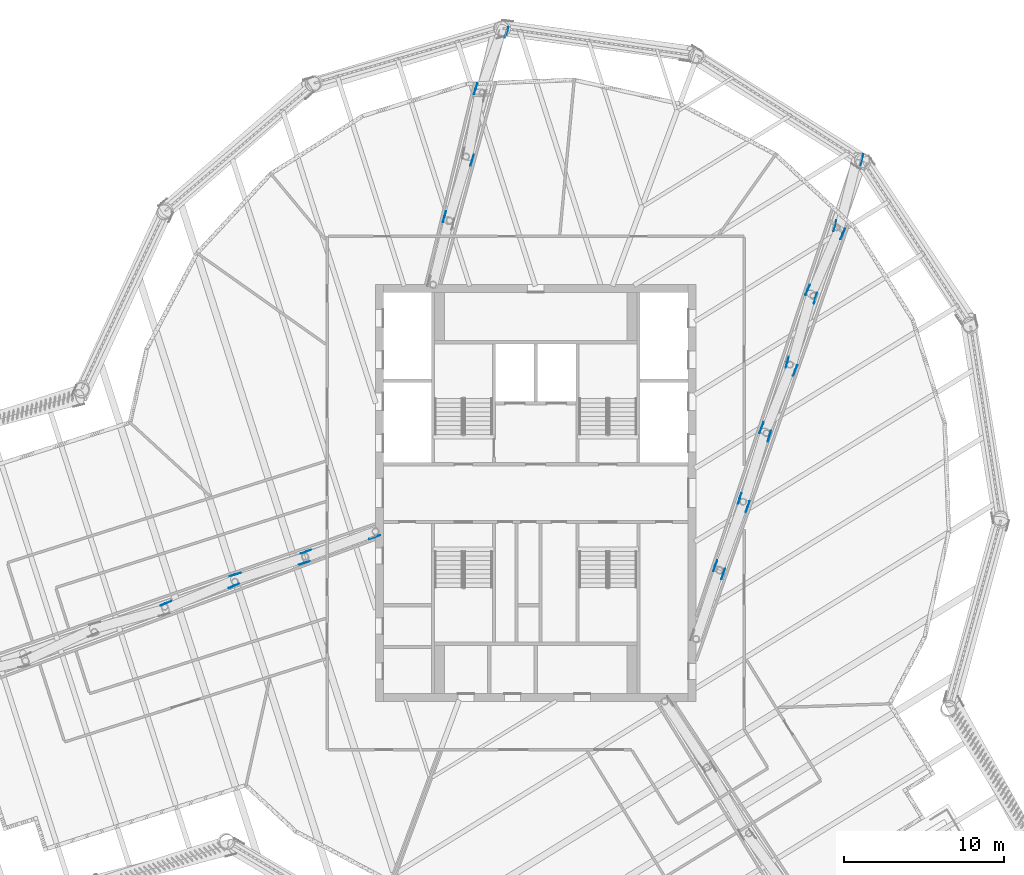
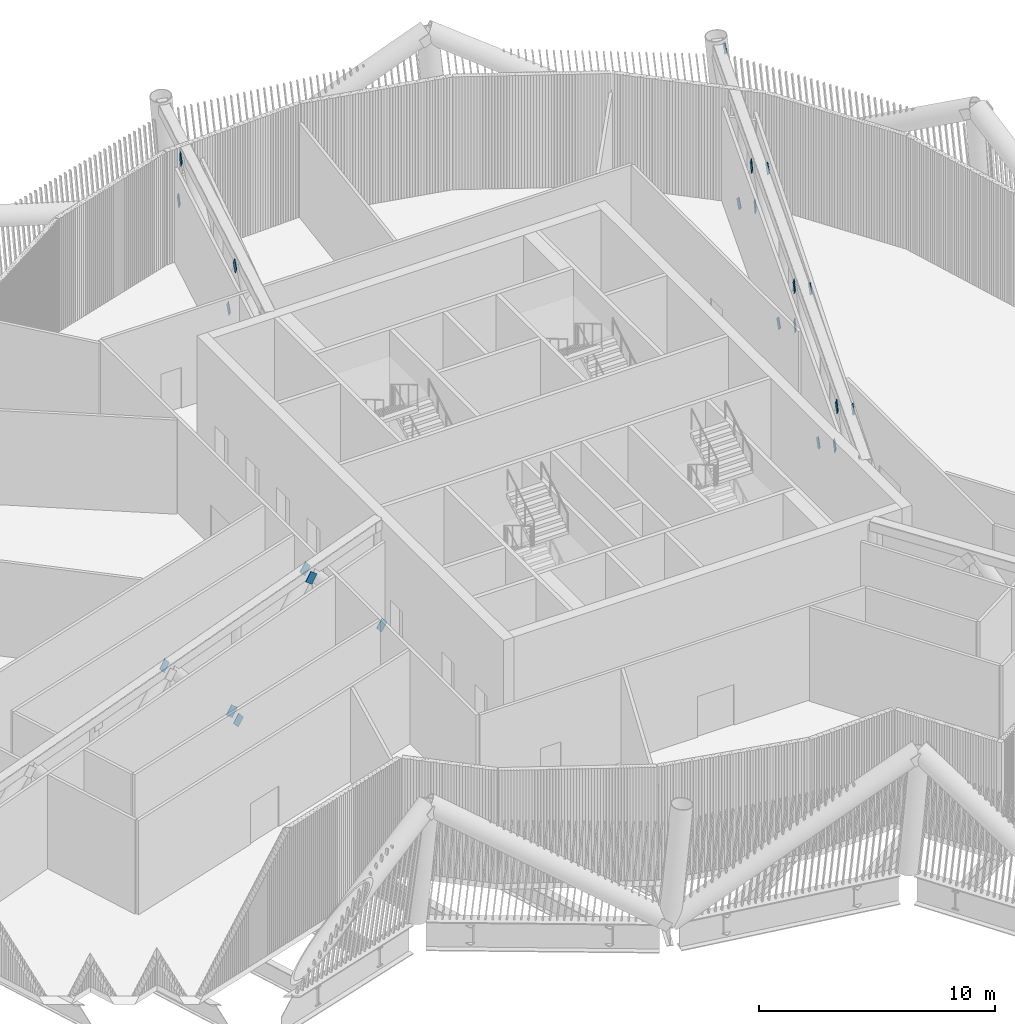
# One storey, part 18 of 40: 23 discrete accessories.
"""IFC4 building model written with IfcOpenShell, lengths in metres."""

from ifc_helpers import new_model, si_unit, direction, frame, origin, origin_2d, place, context, subcontext, project, spatial, rectangle, extrude, material, material_profile, profile_set, type_object, element, save


model = new_model("IFC4")

# Units and contexts
model_context = context("Model", 3, precision=1e-05, world=origin(), true_north=direction((0.0, 1.0)))
body_context = subcontext(model_context, "Body", "Model", "MODEL_VIEW")
ifc_project = project(units=[si_unit("LENGTHUNIT", "METRE"), si_unit("AREAUNIT", "SQUARE_METRE"), si_unit("VOLUMEUNIT", "CUBIC_METRE"), si_unit("PLANEANGLEUNIT", "RADIAN"), si_unit("MASSUNIT", "GRAM", prefix="KILO")], contexts=[model_context])

# Site, building, storey
site_placement = place(None, origin())
site = spatial("IfcSite", under=ifc_project, at=site_placement, CompositionType="ELEMENT")
building_placement = place(site_placement, origin())
building = spatial("IfcBuilding", under=site, at=building_placement, Name="Tarsis Ring Headquarters", CompositionType="ELEMENT")
storey_placement = place(building_placement, frame((0.0, 0.0, 354.800048828125)))
storey = spatial("IfcBuildingStorey", under=building, at=storey_placement, Name="L84", CompositionType="ELEMENT", Elevation=354.800048828125)

# Discrete accessories
ifc_material = material(Name="Structural steel S355", Category="steel")
ifc_material_profile = material_profile(ifc_material, rectangle(XDim=0.02490234375, YDim=0.5, at=origin_2d()), Name="PL 25x500")
ifc_profile_set = profile_set([ifc_material_profile], Name="Structural steel S355")
discrete_accessory_type = type_object("IfcDiscreteAccessoryType", Name="Gusset plate Outrigger 25", PredefinedType="BRACKET", material=ifc_profile_set)
for number, where, z_axis, x_axis, name in (
    (1, (11.739013671875, -4.900146484375, 5.5859375), (-0.20552676794, -0.61462755543, -0.761571871701), (0.948381554752, -0.317131560406, 0.0), "Gusset plate GP1"),
    (2, (11.139892578125, -4.69091796875, 5.5859375), (0.220669771656, 0.604400834758, -0.765509296365), (-0.939349559879, 0.342961228647, 0.0), "Gusset plate GP1"),
    (3, (13.2705078125, -0.701171875, 0.25390625), (-0.22073488786, -0.604090832484, 0.765735186204), (0.939260216755, -0.343205835063, 0.0), "Gusset plate GP1"),
):
    element("IfcDiscreteAccessory", number, at=place(storey_placement, frame(where, z_axis=z_axis, x_axis=x_axis)), inside=storey, type_object=discrete_accessory_type, Name=name, PredefinedType="BRACKET", context=body_context, shape_type="SweptSolid", body=[
        extrude(rectangle(XDim=0.02490234375, YDim=0.5, at=origin_2d()), origin(), (0.0, 0.0, 1.0), 0.5),
    ])
discrete_accessory_1_placement = place(storey_placement, frame((12.6689453125, -0.499755859375, 0.25390625), z_axis=(0.190376566723, 0.624337509843, 0.75760110655), x_axis=(-0.956519774385, 0.29166748398, 0.0)))
element("IfcDiscreteAccessory", 4, at=discrete_accessory_1_placement, inside=storey, type_object=discrete_accessory_type, Name="Gusset plate GP1", PredefinedType="BRACKET", context=body_context, shape_type="SweptSolid", body=[
    extrude(rectangle(XDim=0.02490234375, YDim=0.5, at=origin_2d()), origin(), (0.0, 0.0, 1.0), 0.500244140625),
])
discrete_accessory_2_placement = place(storey_placement, frame((14.61767578125, 3.70849609375, 5.5859375), z_axis=(-0.190505076824, -0.624270482514, -0.757624036291), x_axis=(0.956456085209, -0.291876270134, 0.0)))
element("IfcDiscreteAccessory", 5, at=discrete_accessory_2_placement, inside=storey, type_object=discrete_accessory_type, Name="Gusset plate GP1", PredefinedType="BRACKET", context=body_context, shape_type="SweptSolid", body=[
    extrude(rectangle(XDim=0.02490234375, YDim=0.5, at=origin_2d()), origin(), (0.0, 0.0, 1.0), 0.499755859375),
])
for number, where, z_axis, x_axis, name in (
    (6, (14.019287109375, 3.918212890625, 5.5859375), (0.235338882171, 0.593718009792, -0.769489789007), (-0.92963209364, 0.368489037117, 0.0), "Gusset plate GP1"),
    (7, (16.239501953125, 7.79833984375, 0.25390625), (-0.235338882171, -0.593718009792, 0.769489789007), (0.92963209364, -0.368489037117, 0.0), "Gusset plate GP1"),
    (8, (15.638916015625, 8.0, 0.25390625), (0.175761367309, 0.633717374352, 0.753332749326), (-0.963624193367, 0.267260947313, 0.0), "Gusset plate GP1"),
    (9, (17.496337890625, 12.317138671875, 5.5859375), (-0.176299272122, -0.633895997822, -0.753056724686), (0.963432790006, -0.267950105695, 0.0), "Gusset plate GP1"),
    (10, (16.89892578125, 12.52734375, 5.5859375), (0.250547934031, 0.582658255943, -0.77313329351), (-0.918666393057, 0.395034249487, 0.0), "Gusset plate GP1"),
    (11, (19.20849609375, 16.297607421875, 0.25390625), (-0.250476636455, -0.582980709411, 0.772913285592), (0.91878643312, -0.394754975034, 0.0), "Gusset plate GP1"),
    (12, (18.609130859375, 16.5, 0.25390625), (0.161624272855, 0.643079055439, 0.748549880021), (-0.96983851851, 0.243748329254, 0.0), "Gusset plate GP1"),
    (13, (20.37451171875, 20.925537109375, 5.5859375), (-0.161624272855, -0.643079055439, -0.748549880021), (0.96983851851, -0.243748329254, 0.0), "Gusset plate GP1"),
    (14, (-9.89013671875, -2.69775390625, 0.25390625), (-0.616782308931, -0.227569719685, 0.753519479557), (0.346152821591, -0.938178140922, 0.0), "Gusset plate GP1"),
    (15, (-14.474609375, -3.714599609375, 5.5859375), (0.616713701967, 0.228032698985, -0.753435662814), (-0.346806380885, 0.937936743164, 0.0), "Gusset plate GP1"),
    (16, (-14.267333984375, -4.314208984375, 5.5859375), (-0.625928958954, -0.20164482063, -0.753360673686), (0.30663397849, -0.951827507081, 0.0), "Gusset plate GP1"),
):
    element("IfcDiscreteAccessory", number, at=place(storey_placement, frame(where, z_axis=z_axis, x_axis=x_axis)), inside=storey, type_object=discrete_accessory_type, Name=name, PredefinedType="BRACKET", context=body_context, shape_type="SweptSolid", body=[
        extrude(rectangle(XDim=0.02490234375, YDim=0.5, at=origin_2d()), origin(), (0.0, 0.0, 1.0), 0.5),
    ])
discrete_accessory_3_placement = place(storey_placement, frame((-18.88818359375, -5.135009765625, 0.25390625), z_axis=(0.625698779738, 0.201570667732, 0.753571697282), x_axis=(-0.30663397849, 0.951827507081, 0.0)))
element("IfcDiscreteAccessory", 17, at=discrete_accessory_3_placement, inside=storey, type_object=discrete_accessory_type, Name="Gusset plate GP1", PredefinedType="BRACKET", context=body_context, shape_type="SweptSolid", body=[
    extrude(rectangle(XDim=0.02490234375, YDim=0.5, at=origin_2d()), origin(), (0.0, 0.0, 1.0), 0.500244140625),
])
for number, where, z_axis, x_axis, name in (
    (18, (-18.66845703125, -5.729736328125, 0.25390625), (-0.607320815405, -0.25386400644, 0.752804419096), (0.385668393394, -0.922637464196, 0.0), "Gusset plate GP1"),
    (19, (-23.21630859375, -6.94384765625, 5.5859375), (0.607544068089, 0.253957327497, -0.752592772448), (-0.385668393394, 0.922637464196, 0.0), "Gusset plate GP1"),
    (20, (-5.735595703125, 17.07568359375, 5.5859375), (0.177243790692, 0.590812635641, -0.787099147648), (-0.957826285221, 0.287347885566, 0.0), "Gusset plate GP1"),
    (21, (-3.926025390625, 20.896240234375, 0.25390625), (-0.177243790692, -0.590812635641, 0.787099147648), (0.957826285221, -0.287347885566, 0.0), "Gusset plate GP1"),
    (22, (-3.794189453125, 25.060302734375, 5.5859375), (0.210442119346, 0.588359057569, -0.780735380127), (-0.941582698349, 0.336781861401, 0.0), "Gusset plate GP1"),
    (23, (-1.76123046875, 28.86865234375, 0.25390625), (-0.209915073836, -0.588738555921, 0.780591169915), (0.941918484552, -0.335841582386, 0.0), "Gusset plate GP1"),
):
    element("IfcDiscreteAccessory", number, at=place(storey_placement, frame(where, z_axis=z_axis, x_axis=x_axis)), inside=storey, type_object=discrete_accessory_type, Name=name, PredefinedType="BRACKET", context=body_context, shape_type="SweptSolid", body=[
        extrude(rectangle(XDim=0.02490234375, YDim=0.5, at=origin_2d()), origin(), (0.0, 0.0, 1.0), 0.5),
    ])

save(model, "model.ifc")
